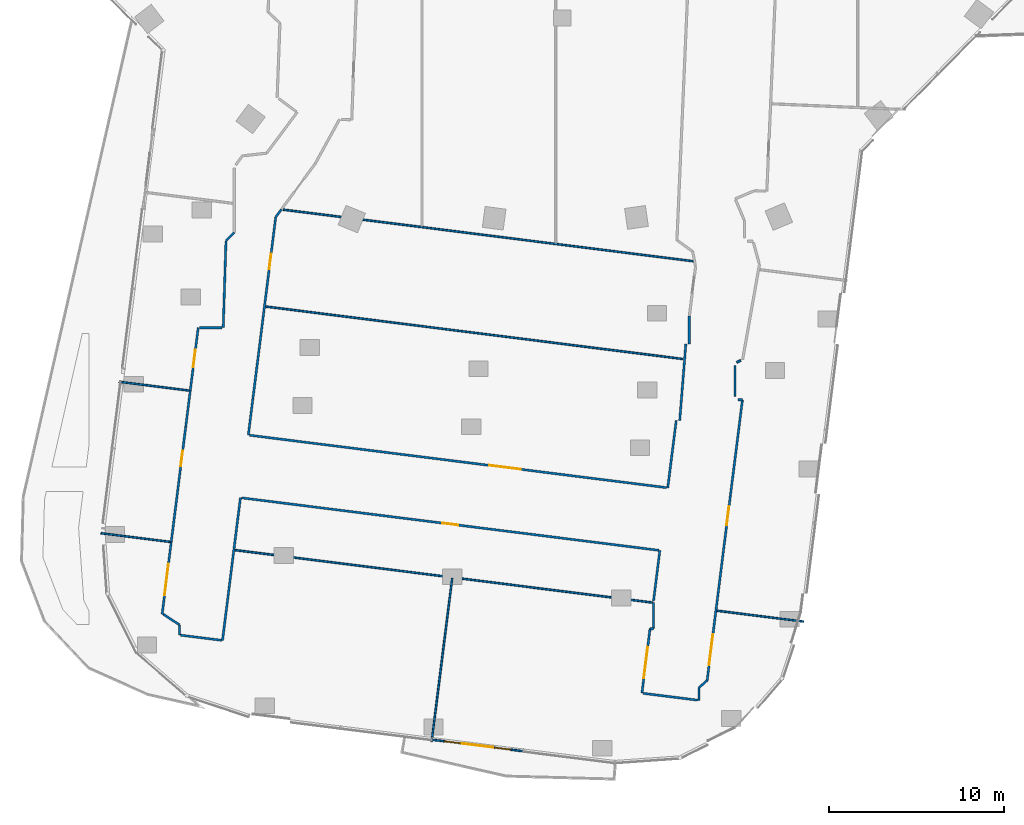
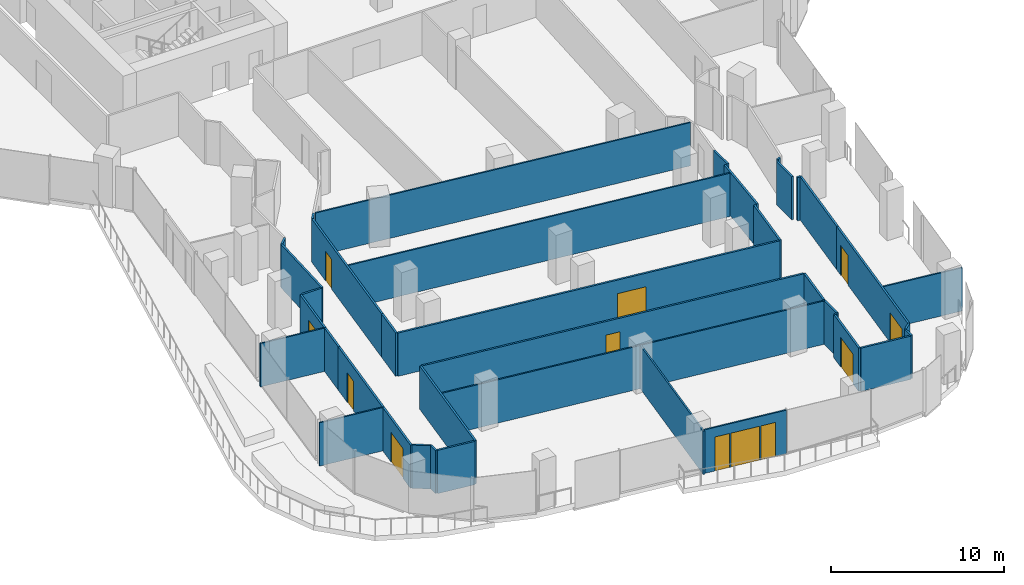
# One storey, part 19 of 29: 39 walls, 10 doors, 2 windows, 12 openings.
"""IFC4 building model written with IfcOpenShell, lengths in metres."""

from ifc_helpers import new_model, si_unit, direction, frame, frame_2d, origin, place, context, subcontext, project, spatial, rectangle, extrude, material, layer, layer_set, type_object, element, fill, save


model = new_model("IFC4")

# Units and contexts
model_context = context("Model", 3, precision=1e-05, world=origin(), true_north=direction((0.0, 1.0)))
body_context = subcontext(model_context, "Body", "Model", "MODEL_VIEW")
ifc_project = project(units=[si_unit("LENGTHUNIT", "METRE"), si_unit("AREAUNIT", "SQUARE_METRE"), si_unit("VOLUMEUNIT", "CUBIC_METRE"), si_unit("PLANEANGLEUNIT", "RADIAN"), si_unit("MASSUNIT", "GRAM", prefix="KILO")], contexts=[model_context])

# Site, building, storey
site_placement = place(None, origin())
site = spatial("IfcSite", under=ifc_project, at=site_placement, CompositionType="ELEMENT")
building_placement = place(site_placement, origin())
building = spatial("IfcBuilding", under=site, at=building_placement, Name="Orlundy Tower", CompositionType="ELEMENT")
storey_placement = place(building_placement, frame((0.0, 0.0, 188.60009765625)))
storey = spatial("IfcBuildingStorey", under=building, at=storey_placement, Name="L49", CompositionType="ELEMENT", Elevation=188.60009765625)

# Walls
ifc_material_1 = material(Name="Gypsum board partition")
ifc_layer_1 = layer(ifc_material_1, 0.10009765625)
ifc_layer_set_1 = layer_set([ifc_layer_1], Name="Floor partition 100")
wall_type_1 = type_object("IfcWallType", Name="Floor partition 100", PredefinedType="PARTITIONING", material=ifc_layer_set_1)
wall_1_placement = place(storey_placement, frame((-26.31298828125, -47.386962890625, 0.0), z_axis=(0.0, 0.0, 1.0), x_axis=(0.992185976099, -0.124767739553, 0.0)))
element("IfcWall", 1, at=wall_1_placement, inside=storey, type_object=wall_type_1, Name="wall-int-L49-008", PredefinedType="PARTITIONING", context=body_context, shape_type="SweptSolid", body=[
    extrude(rectangle(XDim=3.97607421875, YDim=0.10009765625, at=frame_2d((1.988037109375, 0.0))), origin(), (0.0, 0.0, 1.0), 3.059814453125),
])
wall_2_placement = place(storey_placement, frame((-18.6708984375, -48.34912109375, 0.0), z_axis=(0.0, 0.0, 1.0), x_axis=(0.992194081433, -0.124703266873, 0.0)))
element("IfcWall", 2, at=wall_2_placement, inside=storey, type_object=wall_type_1, Name="wall-int-L49-009", PredefinedType="PARTITIONING", context=body_context, shape_type="SweptSolid", body=[
    extrude(rectangle(XDim=24.000244140625, YDim=0.10009765625, at=frame_2d((12.0, 0.0))), origin(), (0.0, 0.0, 1.0), 3.059814453125),
])
wall_3_placement = place(storey_placement, frame((8.823974609375, -51.805908203125, 0.0), z_axis=(0.0, 0.0, 1.0), x_axis=(0.992182494256, -0.124795424967, 0.0)))
element("IfcWall", 3, at=wall_3_placement, inside=storey, type_object=wall_type_1, Name="wall-int-L49-010", PredefinedType="PARTITIONING", context=body_context, shape_type="SweptSolid", body=[
    extrude(rectangle(XDim=4.976806640625, YDim=0.10009765625, at=frame_2d((2.48828125, 0.0))), origin(), (0.0, 0.0, 1.0), 3.059814453125),
])
wall_4_placement = place(storey_placement, frame((-25.281982421875, -38.7490234375, 0.0), z_axis=(0.0, 0.0, 1.0), x_axis=(0.992218133557, -0.124511748205, 0.0)))
element("IfcWall", 4, at=wall_4_placement, inside=storey, type_object=wall_type_1, Name="wall-int-L49-013", PredefinedType="PARTITIONING", context=body_context, shape_type="SweptSolid", body=[
    extrude(rectangle(XDim=4.03125, YDim=0.10009765625, at=frame_2d((2.015625, 0.0))), origin(), (0.0, 0.0, 1.0), 3.059814453125),
])
wall_5_placement = place(storey_placement, frame((-16.924072265625, -34.4580078125, 0.0), z_axis=(0.0, 0.0, 1.0), x_axis=(0.992190096307, -0.124734970202, 0.0)))
element("IfcWall", 5, at=wall_5_placement, inside=storey, type_object=wall_type_1, Name="wall-int-L49-014", PredefinedType="PARTITIONING", context=body_context, shape_type="SweptSolid", body=[
    extrude(rectangle(XDim=23.986328125, YDim=0.10009765625, at=frame_2d((11.9931640625, 0.0))), origin(), (0.0, 0.0, 1.0), 3.059814453125),
])
wall_6_placement = place(storey_placement, frame((-15.925048828125, -28.931884765625, 0.0), z_axis=(0.0, 0.0, 1.0), x_axis=(0.992178923258, -0.124823812799, 0.0)))
element("IfcWall", 6, at=wall_6_placement, inside=storey, type_object=wall_type_1, Name="wall-int-L49-016", PredefinedType="PARTITIONING", context=body_context, shape_type="SweptSolid", body=[
    extrude(rectangle(XDim=23.5703125, YDim=0.10009765625, at=frame_2d((11.78515625, 0.0))), origin(), (0.0, 0.0, 1.0), 3.059814453125),
])
wall_7_placement = place(storey_placement, frame((-7.4541015625, -59.282958984375, 0.0), z_axis=(0.0, 0.0, 1.0), x_axis=(0.124805126351, 0.99218127398, 0.0)))
element("IfcWall", 7, at=wall_7_placement, inside=storey, type_object=wall_type_1, Name="wall-int-L49-057", PredefinedType="PARTITIONING", context=body_context, shape_type="SweptSolid", body=[
    extrude(rectangle(XDim=9.3994140625, YDim=0.10009765625, at=frame_2d((4.69970703125, 0.0))), origin(), (0.0, 0.0, 1.0), 3.059814453125),
])
ifc_material_2 = material(Name="Gypsum board partition, double layer")
ifc_layer_2 = layer(ifc_material_2, 0.125)
ifc_layer_set_2 = layer_set([ifc_layer_2], Name="Floor partition 125")
wall_type_2 = type_object("IfcWallType", Name="Floor partition 125", PredefinedType="PARTITIONING", material=ifc_layer_set_2)
wall_8_placement = place(storey_placement, frame((-21.77294921875, -53.199951171875, 0.0), z_axis=(0.0, 0.0, 1.0), x_axis=(0.992231399055, -0.124405991537, 0.0)))
element("IfcWall", 8, at=wall_8_placement, inside=storey, type_object=wall_type_2, Name="wall-int-L49-006", PredefinedType="PARTITIONING", context=body_context, shape_type="SweptSolid", body=[
    extrude(rectangle(XDim=2.34716796875, YDim=0.125, at=frame_2d((1.173583984375, 0.0))), origin(), (0.0, 0.0, 1.0), 3.059814453125),
])
wall_9_placement = place(storey_placement, frame((4.60302734375, -56.51708984375, 0.0), z_axis=(0.0, 0.0, 1.0), x_axis=(0.992225298005, -0.124454642333, 0.0)))
element("IfcWall", 9, at=wall_9_placement, inside=storey, type_object=wall_type_2, Name="wall-int-L49-007", PredefinedType="PARTITIONING", context=body_context, shape_type="SweptSolid", body=[
    extrude(rectangle(XDim=3.1484375, YDim=0.125, at=frame_2d((1.57421875, 0.0))), origin(), (0.0, 0.0, 1.0), 3.059814453125),
])

# Wall, opening, door
wall_10_placement = place(storey_placement, frame((5.501953125, -48.361083984375, 0.0), z_axis=(0.0, 0.0, 1.0), x_axis=(-0.992188044587, 0.124751289286, 0.0)))
wall_10 = element("IfcWall", 10, at=wall_10_placement, inside=storey, type_object=wall_type_2, Name="wall-int-L49-011", PredefinedType="PARTITIONING", context=body_context, shape_type="SweptSolid", body=[
    extrude(rectangle(XDim=23.985107421875, YDim=0.125, at=frame_2d((11.99267578125, 0.0))), origin(), (0.0, 0.0, 1.0), 3.059814453125),
])
opening_1_placement = place(wall_10_placement, frame((11.53759765625, 0.0, 0.0)))
opening_1 = element("IfcOpeningElement", 11, at=opening_1_placement, cuts=wall_10, Name="Opening 38104", PredefinedType="OPENING", context=body_context, shape_type="SweptSolid", body=[
    extrude(rectangle(XDim=0.89990234375, YDim=2.10009765625, at=frame_2d((0.449951171875, 1.050048828125))), frame((0.0, 0.072509765625, 0.0), z_axis=(0.0, -1.0, 0.0), x_axis=(1.0, 0.0, 0.0)), (0.0, 0.0, 1.0), 0.14501953125),
])
ifc_material_3 = material(Name="Timber door leaf", Category="wood")
door_type_1 = type_object("IfcDoorType", Name="Floor door single 900 FD30S", OperationType="NOTDEFINED", PredefinedType="DOOR", material=ifc_material_3)
door_1_placement = place(opening_1_placement, origin())
door_1 = element("IfcDoor", 12, at=door_1_placement, inside=storey, type_object=door_type_1, Name="Door 38104", OperationType="SINGLE_SWING_LEFT", OverallHeight=2.10009765625, OverallWidth=0.89990234375, PredefinedType="DOOR", context=body_context, shape_type="SweptSolid", body=[
    extrude(rectangle(XDim=0.89990234375, YDim=2.10009765625, at=frame_2d((0.449951171875, 1.050048828125))), frame((0.0, 0.02490234375, 0.0), z_axis=(0.0, -1.0, 0.0), x_axis=(1.0, 0.0, 0.0)), (0.0, 0.0, 1.0), 0.050048828125),
])
fill(opening_1, door_1)

wall_11_placement = place(storey_placement, frame((-17.845947265625, -41.797119140625, 0.0), z_axis=(0.0, 0.0, 1.0), x_axis=(0.992194342851, -0.1247011869, 0.0)))
wall_11 = element("IfcWall", 13, at=wall_11_placement, inside=storey, type_object=wall_type_2, Name="wall-int-L49-012", PredefinedType="PARTITIONING", context=body_context, shape_type="SweptSolid", body=[
    extrude(rectangle(XDim=23.985107421875, YDim=0.125, at=frame_2d((11.99267578125, 0.0))), origin(), (0.0, 0.0, 1.0), 3.059814453125),
])
opening_2_placement = place(wall_11_placement, frame((13.78759765625, 0.0, 0.0)))
opening_2 = element("IfcOpeningElement", 14, at=opening_2_placement, cuts=wall_11, Name="Opening 38103", PredefinedType="OPENING", context=body_context, shape_type="SweptSolid", body=[
    extrude(rectangle(XDim=1.800048828125, YDim=2.10009765625, at=frame_2d((0.89990234375, 1.050048828125))), frame((0.0, 0.072509765625, 0.0), z_axis=(0.0, -1.0, 0.0), x_axis=(1.0, 0.0, 0.0)), (0.0, 0.0, 1.0), 0.14501953125),
])
ifc_material_4 = material(Name="Timber door leaf", Category="wood")
door_type_2 = type_object("IfcDoorType", Name="Floor door double 1800 FD30S", OperationType="NOTDEFINED", PredefinedType="DOOR", material=ifc_material_4)
door_2_placement = place(opening_2_placement, origin())
door_2 = element("IfcDoor", 15, at=door_2_placement, inside=storey, type_object=door_type_2, Name="Door 38103", OperationType="DOUBLE_DOOR_SINGLE_SWING", OverallHeight=2.10009765625, OverallWidth=1.800048828125, PredefinedType="DOOR", context=body_context, shape_type="SweptSolid", body=[
    extrude(rectangle(XDim=1.800048828125, YDim=2.10009765625, at=frame_2d((0.89990234375, 1.050048828125))), frame((0.0, 0.02490234375, 0.0), z_axis=(0.0, -1.0, 0.0), x_axis=(1.0, 0.0, 0.0)), (0.0, 0.0, 1.0), 0.050048828125),
])
fill(opening_2, door_2)

# Walls
wall_12_placement = place(storey_placement, frame((7.7890625, -56.198974609375, 0.0), z_axis=(0.0, 0.0, 1.0), x_axis=(0.749373819913, 0.662147172484, 0.0)))
element("IfcWall", 16, at=wall_12_placement, inside=storey, type_object=wall_type_2, Name="wall-int-L49-023", PredefinedType="PARTITIONING", context=body_context, shape_type="SweptSolid", body=[
    extrude(rectangle(XDim=0.629638671875, YDim=0.125, at=frame_2d((0.31494140625, 0.0))), origin(), (0.0, 0.0, 1.0), 3.059814453125),
])
wall_13_placement = place(storey_placement, frame((5.0029296875, -52.8330078125, 0.0), z_axis=(0.0, 0.0, 1.0), x_axis=(1.0, 0.0, 0.0)))
element("IfcWall", 17, at=wall_13_placement, inside=storey, type_object=wall_type_2, Name="wall-int-L49-024", PredefinedType="PARTITIONING", context=body_context, shape_type="SweptSolid", body=[
    extrude(rectangle(XDim=0.199951171875, YDim=0.125, at=frame_2d((0.10009765625, 0.0))), origin(), (0.0, 0.0, 1.0), 3.059814453125),
])
wall_14_placement = place(storey_placement, frame((-22.759033203125, -52.009033203125, 0.0), z_axis=(0.0, 0.0, 1.0), x_axis=(0.837456505501, -0.546503981133, 0.0)))
element("IfcWall", 18, at=wall_14_placement, inside=storey, type_object=wall_type_2, Name="wall-int-L49-025", PredefinedType="PARTITIONING", context=body_context, shape_type="SweptSolid", body=[
    extrude(rectangle(XDim=1.103515625, YDim=0.125, at=frame_2d((0.5517578125, 0.0))), origin(), (0.0, 0.0, 1.0), 3.059814453125),
])
wall_15_placement = place(storey_placement, frame((10.031982421875, -39.778076171875, 0.0), z_axis=(0.0, 0.0, 1.0), x_axis=(1.0, 0.0, 0.0)))
element("IfcWall", 19, at=wall_15_placement, inside=storey, type_object=wall_type_2, Name="wall-int-L49-026", PredefinedType="PARTITIONING", context=body_context, shape_type="SweptSolid", body=[
    extrude(rectangle(XDim=0.241943359375, YDim=0.125, at=frame_2d((0.12109375, 0.0))), origin(), (0.0, 0.0, 1.0), 3.059814453125),
])
wall_16_placement = place(storey_placement, frame((-20.7041015625, -35.6640625, 0.0), z_axis=(0.0, 0.0, 1.0), x_axis=(1.0, 0.0, 0.0)))
element("IfcWall", 20, at=wall_16_placement, inside=storey, type_object=wall_type_2, Name="wall-int-L49-027", PredefinedType="PARTITIONING", context=body_context, shape_type="SweptSolid", body=[
    extrude(rectangle(XDim=1.302001953125, YDim=0.125, at=frame_2d((0.65087890625, 0.0))), origin(), (0.0, 0.0, 1.0), 3.059814453125),
])
wall_17_placement = place(storey_placement, frame((-19.181884765625, -30.702880859375, 0.0), z_axis=(0.0, 0.0, 1.0), x_axis=(0.707106781187, 0.707106781187, 0.0)))
element("IfcWall", 21, at=wall_17_placement, inside=storey, type_object=wall_type_2, Name="wall-int-L49-029", PredefinedType="PARTITIONING", context=body_context, shape_type="SweptSolid", body=[
    extrude(rectangle(XDim=0.65869140625, YDim=0.125, at=frame_2d((0.329345703125, 0.0))), origin(), (0.0, 0.0, 1.0), 3.059814453125),
])
wall_18_placement = place(storey_placement, frame((9.948974609375, -37.64404296875, 0.0), z_axis=(0.0, 0.0, 1.0), x_axis=(0.897533961659, 0.440945334105, 0.0)))
element("IfcWall", 22, at=wall_18_placement, inside=storey, type_object=wall_type_2, Name="wall-int-L49-043", PredefinedType="PARTITIONING", context=body_context, shape_type="SweptSolid", body=[
    extrude(rectangle(XDim=0.249755859375, YDim=0.125, at=frame_2d((0.125, 0.0))), origin(), (0.0, 0.0, 1.0), 3.059814453125),
])
wall_19_placement = place(storey_placement, frame((-16.344970703125, -29.35400390625, 0.0), z_axis=(0.0, 0.0, 1.0), x_axis=(0.594632608772, 0.803997550111, 0.0)))
element("IfcWall", 23, at=wall_19_placement, inside=storey, type_object=wall_type_2, Name="wall-int-L49-045", PredefinedType="PARTITIONING", context=body_context, shape_type="SweptSolid", body=[
    extrude(rectangle(XDim=0.539794921875, YDim=0.125, at=frame_2d((0.27001953125, 0.0))), origin(), (0.0, 0.0, 1.0), 3.059814453125),
])
wall_20_placement = place(storey_placement, frame((-19.18310546875, -30.7080078125, 0.0), z_axis=(0.0, 0.0, 1.0), x_axis=(-0.031658999126, -0.99949872825, 0.0)))
element("IfcWall", 24, at=wall_20_placement, inside=storey, type_object=wall_type_2, Name="wall-int-L49-049", PredefinedType="PARTITIONING", context=body_context, shape_type="SweptSolid", body=[
    extrude(rectangle(XDim=4.95849609375, YDim=0.125, at=frame_2d((2.479248046875, 0.0))), origin(), (0.0, 0.0, 1.0), 3.059814453125),
])
wall_21_placement = place(storey_placement, frame((9.5859375, -45.24609375, 0.0), z_axis=(0.0, 0.0, 1.0), x_axis=(0.124858127037, 0.992174605658, 0.0)))
element("IfcWall", 25, at=wall_21_placement, inside=storey, type_object=wall_type_2, Name="wall-int-L49-050", PredefinedType="PARTITIONING", context=body_context, shape_type="SweptSolid", body=[
    extrude(rectangle(XDim=5.51025390625, YDim=0.125, at=frame_2d((2.755126953125, 0.0))), origin(), (0.0, 0.0, 1.0), 3.059814453125),
])

# Wall, openings, doors
wall_22_placement = place(storey_placement, frame((9.5849609375, -45.24609375, 0.0), z_axis=(0.0, 0.0, 1.0), x_axis=(-0.124682713734, -0.992196664425, 0.0)))
wall_22 = element("IfcWall", 26, at=wall_22_placement, inside=storey, type_object=wall_type_2, Name="wall-int-L49-052", PredefinedType="PARTITIONING", context=body_context, shape_type="SweptSolid", body=[
    extrude(rectangle(XDim=10.61865234375, YDim=0.125, at=frame_2d((5.309326171875, 0.0))), origin(), (0.0, 0.0, 1.0), 3.059814453125),
])
opening_3_placement = place(wall_22_placement, frame((0.600341796875, 0.0, 0.0)))
opening_3 = element("IfcOpeningElement", 27, at=opening_3_placement, cuts=wall_22, Name="Opening 38100", PredefinedType="OPENING", context=body_context, shape_type="SweptSolid", body=[
    extrude(rectangle(XDim=1.10009765625, YDim=2.10009765625, at=frame_2d((0.550048828125, 1.050048828125))), frame((0.0, 0.072509765625, 0.0), z_axis=(0.0, -1.0, 0.0), x_axis=(1.0, 0.0, 0.0)), (0.0, 0.0, 1.0), 0.14501953125),
])
opening_4_placement = place(wall_22_placement, frame((7.953857421875, 0.0, 0.0)))
opening_4 = element("IfcOpeningElement", 28, at=opening_4_placement, cuts=wall_22, Name="Opening 38106", PredefinedType="OPENING", context=body_context, shape_type="SweptSolid", body=[
    extrude(rectangle(XDim=1.800048828125, YDim=2.10009765625, at=frame_2d((0.89990234375, 1.050048828125))), frame((0.0, 0.072509765625, 0.0), z_axis=(0.0, -1.0, 0.0), x_axis=(1.0, 0.0, 0.0)), (0.0, 0.0, 1.0), 0.14501953125),
])
door_3_placement = place(opening_4_placement, origin())
door_3 = element("IfcDoor", 29, at=door_3_placement, inside=storey, type_object=door_type_2, Name="Door 38106", OperationType="DOUBLE_DOOR_SINGLE_SWING", OverallHeight=2.10009765625, OverallWidth=1.800048828125, PredefinedType="DOOR", context=body_context, shape_type="SweptSolid", body=[
    extrude(rectangle(XDim=1.800048828125, YDim=2.10009765625, at=frame_2d((0.89990234375, 1.050048828125))), frame((0.0, 0.02490234375, 0.0), z_axis=(0.0, -1.0, 0.0), x_axis=(1.0, 0.0, 0.0)), (0.0, 0.0, 1.0), 0.050048828125),
])
fill(opening_4, door_3)
ifc_material_5 = material(Name="Timber door leaf", Category="wood")
door_type_3 = type_object("IfcDoorType", Name="Floor door xwide 1100 FD30S", OperationType="NOTDEFINED", PredefinedType="DOOR", material=ifc_material_5)
door_4_placement = place(opening_3_placement, origin())
door_4 = element("IfcDoor", 30, at=door_4_placement, inside=storey, type_object=door_type_3, Name="Door 38100", OperationType="SINGLE_SWING_LEFT", OverallHeight=2.10009765625, OverallWidth=1.10009765625, PredefinedType="DOOR", context=body_context, shape_type="SweptSolid", body=[
    extrude(rectangle(XDim=1.10009765625, YDim=2.10009765625, at=frame_2d((0.550048828125, 1.050048828125))), frame((0.0, 0.02490234375, 0.0), z_axis=(0.0, -1.0, 0.0), x_axis=(1.0, 0.0, 0.0)), (0.0, 0.0, 1.0), 0.050048828125),
])
fill(opening_3, door_4)

# Wall, opening, door
wall_23_placement = place(storey_placement, frame((4.541015625, -56.508056640625, 0.0), z_axis=(0.0, 0.0, 1.0), x_axis=(0.12474066762, 0.992189380029, 0.0)))
wall_23 = element("IfcWall", 31, at=wall_23_placement, inside=storey, type_object=wall_type_2, Name="wall-int-L49-053", PredefinedType="PARTITIONING", context=body_context, shape_type="SweptSolid", body=[
    extrude(rectangle(XDim=3.702880859375, YDim=0.125, at=frame_2d((1.8515625, 0.0))), origin(), (0.0, 0.0, 1.0), 3.059814453125),
])
opening_5_placement = place(wall_23_placement, frame((0.85009765625, 0.0, 0.0)))
opening_5 = element("IfcOpeningElement", 32, at=opening_5_placement, cuts=wall_23, Name="Opening 38105", PredefinedType="OPENING", context=body_context, shape_type="SweptSolid", body=[
    extrude(rectangle(XDim=1.800048828125, YDim=2.10009765625, at=frame_2d((0.89990234375, 1.050048828125))), frame((0.0, 0.072509765625, 0.0), z_axis=(0.0, -1.0, 0.0), x_axis=(1.0, 0.0, 0.0)), (0.0, 0.0, 1.0), 0.14501953125),
])
door_5_placement = place(opening_5_placement, origin())
door_5 = element("IfcDoor", 33, at=door_5_placement, inside=storey, type_object=door_type_2, Name="Door 38105", OperationType="DOUBLE_DOOR_SINGLE_SWING", OverallHeight=2.10009765625, OverallWidth=1.800048828125, PredefinedType="DOOR", context=body_context, shape_type="SweptSolid", body=[
    extrude(rectangle(XDim=1.800048828125, YDim=2.10009765625, at=frame_2d((0.89990234375, 1.050048828125))), frame((0.0, 0.02490234375, 0.0), z_axis=(0.0, -1.0, 0.0), x_axis=(1.0, 0.0, 0.0)), (0.0, 0.0, 1.0), 0.050048828125),
])
fill(opening_5, door_5)

# Walls
wall_24_placement = place(storey_placement, frame((6.49609375, -40.9609375, 0.0), z_axis=(0.0, 0.0, 1.0), x_axis=(-0.124749919043, -0.992188216872, 0.0)))
element("IfcWall", 34, at=wall_24_placement, inside=storey, type_object=wall_type_2, Name="wall-int-L49-054", PredefinedType="PARTITIONING", context=body_context, shape_type="SweptSolid", body=[
    extrude(rectangle(XDim=3.865234375, YDim=0.125, at=frame_2d((1.9326171875, 0.0))), origin(), (0.0, 0.0, 1.0), 3.059814453125),
])
wall_25_placement = place(storey_placement, frame((7.044921875, -36.594970703125, 0.0), z_axis=(0.0, 0.0, 1.0), x_axis=(-0.079672095143, -0.996821126008, 0.0)))
element("IfcWall", 35, at=wall_25_placement, inside=storey, type_object=wall_type_2, Name="wall-int-L49-055", PredefinedType="PARTITIONING", context=body_context, shape_type="SweptSolid", body=[
    extrude(rectangle(XDim=4.37890625, YDim=0.125, at=frame_2d((2.189453125, 0.0))), origin(), (0.0, 0.0, 1.0), 3.059814453125),
])
wall_26_placement = place(storey_placement, frame((-19.381103515625, -53.5, 0.0), z_axis=(0.0, 0.0, 1.0), x_axis=(0.124661325918, 0.992199351854, 0.0)))
element("IfcWall", 36, at=wall_26_placement, inside=storey, type_object=wall_type_2, Name="wall-int-L49-058", PredefinedType="PARTITIONING", context=body_context, shape_type="SweptSolid", body=[
    extrude(rectangle(XDim=8.199951171875, YDim=0.125, at=frame_2d((4.10009765625, 0.0))), origin(), (0.0, 0.0, 1.0), 3.059814453125),
])

# Wall, opening, door
wall_27_placement = place(storey_placement, frame((-16.345947265625, -29.35498046875, 0.0), z_axis=(0.0, 0.0, 1.0), x_axis=(-0.124673942426, -0.992197766617, 0.0)))
wall_27 = element("IfcWall", 37, at=wall_27_placement, inside=storey, type_object=wall_type_2, Name="wall-int-L49-059", PredefinedType="PARTITIONING", context=body_context, shape_type="SweptSolid", body=[
    extrude(rectangle(XDim=10.435302734375, YDim=0.125, at=frame_2d((5.2177734375, 0.0))), origin(), (0.0, 0.0, 1.0), 3.059814453125),
])
opening_6_placement = place(wall_27_placement, frame((2.098876953125, 0.0, 0.0)))
opening_6 = element("IfcOpeningElement", 38, at=opening_6_placement, cuts=wall_27, Name="Opening 38101", PredefinedType="OPENING", context=body_context, shape_type="SweptSolid", body=[
    extrude(rectangle(XDim=0.89990234375, YDim=2.10009765625, at=frame_2d((0.449951171875, 1.050048828125))), frame((0.0, 0.072509765625, 0.0), z_axis=(0.0, -1.0, 0.0), x_axis=(1.0, 0.0, 0.0)), (0.0, 0.0, 1.0), 0.14501953125),
])
door_6_placement = place(opening_6_placement, origin())
door_6 = element("IfcDoor", 39, at=door_6_placement, inside=storey, type_object=door_type_1, Name="Door 38101", OperationType="SINGLE_SWING_LEFT", OverallHeight=2.10009765625, OverallWidth=0.89990234375, PredefinedType="DOOR", context=body_context, shape_type="SweptSolid", body=[
    extrude(rectangle(XDim=0.89990234375, YDim=2.10009765625, at=frame_2d((0.449951171875, 1.050048828125))), frame((0.0, 0.02490234375, 0.0), z_axis=(0.0, -1.0, 0.0), x_axis=(1.0, 0.0, 0.0)), (0.0, 0.0, 1.0), 0.050048828125),
])
fill(opening_6, door_6)

# Wall
wall_28_placement = place(storey_placement, frame((-17.907958984375, -41.7890625, 0.0), z_axis=(0.0, 0.0, 1.0), x_axis=(0.124493385896, 0.992220437639, 0.0)))
element("IfcWall", 40, at=wall_28_placement, inside=storey, type_object=wall_type_2, Name="wall-int-L49-060", PredefinedType="PARTITIONING", context=body_context, shape_type="SweptSolid", body=[
    extrude(rectangle(XDim=2.096435546875, YDim=0.125, at=frame_2d((1.04833984375, 0.0))), origin(), (0.0, 0.0, 1.0), 3.059814453125),
])

# Wall, opening, door
wall_29_placement = place(storey_placement, frame((-22.305908203125, -47.89111328125, 0.0), z_axis=(0.0, 0.0, 1.0), x_axis=(0.124831339058, 0.992177976368, 0.0)))
wall_29 = element("IfcWall", 41, at=wall_29_placement, inside=storey, type_object=wall_type_2, Name="wall-int-L49-061", PredefinedType="PARTITIONING", context=body_context, shape_type="SweptSolid", body=[
    extrude(rectangle(XDim=6.6005859375, YDim=0.125, at=frame_2d((3.30029296875, 0.0))), origin(), (0.0, 0.0, 1.0), 3.059814453125),
])
opening_7_placement = place(wall_29_placement, frame((4.3525390625, 0.0, 0.0)))
opening_7 = element("IfcOpeningElement", 42, at=opening_7_placement, cuts=wall_29, Name="Opening 38109", PredefinedType="OPENING", context=body_context, shape_type="SweptSolid", body=[
    extrude(rectangle(XDim=0.89990234375, YDim=2.10009765625, at=frame_2d((0.449951171875, 1.050048828125))), frame((0.0, 0.072509765625, 0.0), z_axis=(0.0, -1.0, 0.0), x_axis=(1.0, 0.0, 0.0)), (0.0, 0.0, 1.0), 0.14501953125),
])
door_7_placement = place(opening_7_placement, origin())
door_7 = element("IfcDoor", 43, at=door_7_placement, inside=storey, type_object=door_type_1, Name="Door 38109", OperationType="SINGLE_SWING_RIGHT", OverallHeight=2.10009765625, OverallWidth=0.89990234375, PredefinedType="DOOR", context=body_context, shape_type="SweptSolid", body=[
    extrude(rectangle(XDim=0.89990234375, YDim=2.10009765625, at=frame_2d((0.449951171875, 1.050048828125))), frame((0.0, 0.02490234375, 0.0), z_axis=(0.0, -1.0, 0.0), x_axis=(1.0, 0.0, 0.0)), (0.0, 0.0, 1.0), 0.050048828125),
])
fill(opening_7, door_7)

wall_30_placement = place(storey_placement, frame((-21.219970703125, -39.259033203125, 0.0), z_axis=(0.0, 0.0, 1.0), x_axis=(0.12478977457, 0.992183204939, 0.0)))
wall_30 = element("IfcWall", 44, at=wall_30_placement, inside=storey, type_object=wall_type_2, Name="wall-int-L49-062", PredefinedType="PARTITIONING", context=body_context, shape_type="SweptSolid", body=[
    extrude(rectangle(XDim=3.621337890625, YDim=0.125, at=frame_2d((1.810546875, 0.0))), origin(), (0.0, 0.0, 1.0), 3.059814453125),
])
opening_8_placement = place(wall_30_placement, frame((1.35009765625, 0.0, 0.0)))
opening_8 = element("IfcOpeningElement", 45, at=opening_8_placement, cuts=wall_30, Name="Opening 38108", PredefinedType="OPENING", context=body_context, shape_type="SweptSolid", body=[
    extrude(rectangle(XDim=1.0, YDim=2.10009765625, at=frame_2d((0.5, 1.050048828125))), frame((0.0, 0.072509765625, 0.0), z_axis=(0.0, -1.0, 0.0), x_axis=(1.0, 0.0, 0.0)), (0.0, 0.0, 1.0), 0.14501953125),
])
ifc_material_6 = material(Name="Timber door leaf", Category="wood")
door_type_4 = type_object("IfcDoorType", Name="Floor door wide 1000 FD30S", OperationType="NOTDEFINED", PredefinedType="DOOR", material=ifc_material_6)
door_8_placement = place(opening_8_placement, origin())
door_8 = element("IfcDoor", 46, at=door_8_placement, inside=storey, type_object=door_type_4, Name="Door 38108", OperationType="SINGLE_SWING_RIGHT", OverallHeight=2.10009765625, OverallWidth=1.0, PredefinedType="DOOR", context=body_context, shape_type="SweptSolid", body=[
    extrude(rectangle(XDim=1.0, YDim=2.10009765625, at=frame_2d((0.5, 1.050048828125))), frame((0.0, 0.02490234375, 0.0), z_axis=(0.0, -1.0, 0.0), x_axis=(1.0, 0.0, 0.0)), (0.0, 0.0, 1.0), 0.050048828125),
])
fill(opening_8, door_8)

wall_31_placement = place(storey_placement, frame((-22.822998046875, -52.008056640625, 0.0), z_axis=(0.0, 0.0, 1.0), x_axis=(0.12462129386, 0.992204380718, 0.0)))
wall_31 = element("IfcWall", 47, at=wall_31_placement, inside=storey, type_object=wall_type_2, Name="wall-int-L49-063", PredefinedType="PARTITIONING", context=body_context, shape_type="SweptSolid", body=[
    extrude(rectangle(XDim=4.149169921875, YDim=0.125, at=frame_2d((2.07470703125, 0.0))), origin(), (0.0, 0.0, 1.0), 3.059814453125),
])
opening_9_placement = place(wall_31_placement, frame((1.10009765625, 0.0, 0.0)))
opening_9 = element("IfcOpeningElement", 48, at=opening_9_placement, cuts=wall_31, Name="Opening 38107", PredefinedType="OPENING", context=body_context, shape_type="SweptSolid", body=[
    extrude(rectangle(XDim=1.800048828125, YDim=2.10009765625, at=frame_2d((0.89990234375, 1.050048828125))), frame((0.0, 0.072509765625, 0.0), z_axis=(0.0, -1.0, 0.0), x_axis=(1.0, 0.0, 0.0)), (0.0, 0.0, 1.0), 0.14501953125),
])
door_9_placement = place(opening_9_placement, origin())
door_9 = element("IfcDoor", 49, at=door_9_placement, inside=storey, type_object=door_type_2, Name="Door 38107", OperationType="DOUBLE_DOOR_SINGLE_SWING", OverallHeight=2.10009765625, OverallWidth=1.800048828125, PredefinedType="DOOR", context=body_context, shape_type="SweptSolid", body=[
    extrude(rectangle(XDim=1.800048828125, YDim=2.10009765625, at=frame_2d((0.89990234375, 1.050048828125))), frame((0.0, 0.02490234375, 0.0), z_axis=(0.0, -1.0, 0.0), x_axis=(1.0, 0.0, 0.0)), (0.0, 0.0, 1.0), 0.050048828125),
])
fill(opening_9, door_9)

# Walls
wall_32_placement = place(storey_placement, frame((5.202880859375, -51.2470703125, 0.0), z_axis=(0.0, 0.0, 1.0), x_axis=(0.124480149579, 0.992222098303, 0.0)))
element("IfcWall", 50, at=wall_32_placement, inside=storey, type_object=wall_type_2, Name="wall-int-L49-064", PredefinedType="PARTITIONING", context=body_context, shape_type="SweptSolid", body=[
    extrude(rectangle(XDim=2.900634765625, YDim=0.125, at=frame_2d((1.4501953125, 0.0))), origin(), (0.0, 0.0, 1.0), 3.059814453125),
])
wall_33_placement = place(storey_placement, frame((-21.48095703125, -41.340087890625, 0.0), z_axis=(0.0, 0.0, 1.0), x_axis=(0.124435870528, 0.992227652369, 0.0)))
element("IfcWall", 51, at=wall_33_placement, inside=storey, type_object=wall_type_2, Name="wall-int-L49-065", PredefinedType="PARTITIONING", context=body_context, shape_type="SweptSolid", body=[
    extrude(rectangle(XDim=2.097412109375, YDim=0.125, at=frame_2d((1.048828125, 0.0))), origin(), (0.0, 0.0, 1.0), 3.059814453125),
])
wall_34_placement = place(storey_placement, frame((9.843994140625, -39.590087890625, 0.0), z_axis=(0.0, 0.0, 1.0), x_axis=(0.0, 1.0, 0.0)))
element("IfcWall", 52, at=wall_34_placement, inside=storey, type_object=wall_type_2, Name="wall-int-L49-075", PredefinedType="PARTITIONING", context=body_context, shape_type="SweptSolid", body=[
    extrude(rectangle(XDim=1.777099609375, YDim=0.125, at=frame_2d((0.888671875, 0.0))), origin(), (0.0, 0.0, 1.0), 3.059814453125),
])
wall_35_placement = place(storey_placement, frame((7.7890625, -56.9169921875, 0.0), z_axis=(0.0, 0.0, 1.0), x_axis=(0.0, 1.0, 0.0)))
element("IfcWall", 53, at=wall_35_placement, inside=storey, type_object=wall_type_2, Name="wall-int-L49-077", PredefinedType="PARTITIONING", context=body_context, shape_type="SweptSolid", body=[
    extrude(rectangle(XDim=0.718017578125, YDim=0.125, at=frame_2d((0.35888671875, 0.0))), origin(), (0.0, 0.0, 1.0), 3.059814453125),
])
wall_36_placement = place(storey_placement, frame((7.243896484375, -36.593994140625, 0.0), z_axis=(0.0, 0.0, 1.0), x_axis=(0.0, 1.0, 0.0)))
element("IfcWall", 54, at=wall_36_placement, inside=storey, type_object=wall_type_2, Name="wall-int-L49-078", PredefinedType="PARTITIONING", context=body_context, shape_type="SweptSolid", body=[
    extrude(rectangle(XDim=1.5869140625, YDim=0.125, at=frame_2d((0.79345703125, 0.0))), origin(), (0.0, 0.0, 1.0), 3.059814453125),
])
wall_37_placement = place(storey_placement, frame((5.202880859375, -52.8330078125, 0.0), z_axis=(0.0, 0.0, 1.0), x_axis=(0.0, 1.0, 0.0)))
element("IfcWall", 55, at=wall_37_placement, inside=storey, type_object=wall_type_2, Name="wall-int-L49-079", PredefinedType="PARTITIONING", context=body_context, shape_type="SweptSolid", body=[
    extrude(rectangle(XDim=1.48291015625, YDim=0.125, at=frame_2d((0.741455078125, 0.0))), origin(), (0.0, 0.0, 1.0), 3.059814453125),
])
wall_38_placement = place(storey_placement, frame((-21.8349609375, -53.19189453125, 0.0), z_axis=(0.0, 0.0, 1.0), x_axis=(0.0, 1.0, 0.0)))
element("IfcWall", 56, at=wall_38_placement, inside=storey, type_object=wall_type_2, Name="wall-int-L49-087", PredefinedType="PARTITIONING", context=body_context, shape_type="SweptSolid", body=[
    extrude(rectangle(XDim=0.579833984375, YDim=0.125, at=frame_2d((0.2900390625, 0.0))), origin(), (0.0, 0.0, 1.0), 3.059814453125),
])

# Wall, openings, windows, door
ifc_material_7 = material(Name="Aluminium bronze and tinted glass", Category="aluminium")
ifc_layer_3 = layer(ifc_material_7, 0.10009765625)
ifc_layer_set_3 = layer_set([ifc_layer_3], Name="Glazed door screen")
wall_type_3 = type_object("IfcWallType", Name="Glazed door screen", PredefinedType="STANDARD", material=ifc_layer_set_3)
wall_39_placement = place(storey_placement, frame((-2.255126953125, -59.81591796875, 0.0), z_axis=(0.0, 0.0, 1.0), x_axis=(-0.992182235567, 0.124797481646, 0.0)))
wall_39 = element("IfcWall", 57, at=wall_39_placement, inside=storey, type_object=wall_type_3, Name="Glazed door screen", PredefinedType="STANDARD", context=body_context, shape_type="SweptSolid", body=[
    extrude(rectangle(XDim=5.199951171875, YDim=0.10009765625, at=frame_2d((2.60009765625, 0.0))), origin(), (0.0, 0.0, 1.0), 3.079833984375),
])
opening_10_placement = place(wall_39_placement, frame((1.699951171875, 0.0, 0.0)))
opening_10 = element("IfcOpeningElement", 58, at=opening_10_placement, cuts=wall_39, Name="Opening 38942", PredefinedType="OPENING", context=body_context, shape_type="SweptSolid", body=[
    extrude(rectangle(XDim=1.800048828125, YDim=2.39990234375, at=frame_2d((0.89990234375, 1.199951171875))), frame((0.0, 0.06005859375, 0.0), z_axis=(0.0, -1.0, 0.0), x_axis=(1.0, 0.0, 0.0)), (0.0, 0.0, 1.0), 0.1201171875),
])
opening_11_placement = place(wall_39_placement, frame((0.699951171875, 0.0, 0.0)))
opening_11 = element("IfcOpeningElement", 59, at=opening_11_placement, cuts=wall_39, Name="Opening W02", PredefinedType="OPENING", context=body_context, shape_type="SweptSolid", body=[
    extrude(rectangle(XDim=0.89990234375, YDim=2.39990234375, at=frame_2d((0.449951171875, 1.199951171875))), frame((0.0, 0.06005859375, 0.0), z_axis=(0.0, -1.0, 0.0), x_axis=(1.0, 0.0, 0.0)), (0.0, 0.0, 1.0), 0.1201171875),
])
opening_12_placement = place(wall_39_placement, frame((3.60009765625, 0.0, 0.0)))
opening_12 = element("IfcOpeningElement", 60, at=opening_12_placement, cuts=wall_39, Name="Opening W02", PredefinedType="OPENING", context=body_context, shape_type="SweptSolid", body=[
    extrude(rectangle(XDim=0.89990234375, YDim=2.39990234375, at=frame_2d((0.449951171875, 1.199951171875))), frame((0.0, 0.06005859375, 0.0), z_axis=(0.0, -1.0, 0.0), x_axis=(1.0, 0.0, 0.0)), (0.0, 0.0, 1.0), 0.1201171875),
])
ifc_material_8 = material(Name="Tinted glass in bronze aluminium frame", Category="aluminium")
window_type = type_object("IfcWindowType", Name="SL2 sidelight 900x2400", PartitioningType="SINGLE_PANEL", PredefinedType="WINDOW", material=ifc_material_8)
window_1_placement = place(opening_11_placement, origin())
window_1 = element("IfcWindow", 61, at=window_1_placement, inside=storey, type_object=window_type, Name="Window W02 L49", OverallHeight=2.39990234375, OverallWidth=0.89990234375, PartitioningType="SINGLE_PANEL", PredefinedType="WINDOW", context=body_context, shape_type="SweptSolid", body=[
    extrude(rectangle(XDim=0.89990234375, YDim=2.39990234375, at=frame_2d((0.449951171875, 1.199951171875))), frame((0.0, 0.030029296875, 0.0), z_axis=(0.0, -1.0, 0.0), x_axis=(1.0, 0.0, 0.0)), (0.0, 0.0, 1.0), 0.06005859375),
])
fill(opening_11, window_1)
window_2_placement = place(opening_12_placement, origin())
window_2 = element("IfcWindow", 62, at=window_2_placement, inside=storey, type_object=window_type, Name="Window W02 L49", OverallHeight=2.39990234375, OverallWidth=0.89990234375, PartitioningType="SINGLE_PANEL", PredefinedType="WINDOW", context=body_context, shape_type="SweptSolid", body=[
    extrude(rectangle(XDim=0.89990234375, YDim=2.39990234375, at=frame_2d((0.449951171875, 1.199951171875))), frame((0.0, 0.030029296875, 0.0), z_axis=(0.0, -1.0, 0.0), x_axis=(1.0, 0.0, 0.0)), (0.0, 0.0, 1.0), 0.06005859375),
])
fill(opening_12, window_2)
ifc_material_9 = material(Name="Aluminium bronze and tinted glass", Category="aluminium")
door_type_5 = type_object("IfcDoorType", Name="TD3 terrace sliding door 1800x2400", OperationType="DOUBLE_DOOR_SLIDING", PredefinedType="DOOR", material=ifc_material_9)
door_10_placement = place(opening_10_placement, origin())
door_10 = element("IfcDoor", 63, at=door_10_placement, inside=storey, type_object=door_type_5, Name="Door 38942", OperationType="DOUBLE_DOOR_SLIDING", OverallHeight=2.39990234375, OverallWidth=1.800048828125, PredefinedType="DOOR", context=body_context, shape_type="SweptSolid", body=[
    extrude(rectangle(XDim=1.800048828125, YDim=2.39990234375, at=frame_2d((0.89990234375, 1.199951171875))), frame((0.0, 0.02490234375, 0.0), z_axis=(0.0, -1.0, 0.0), x_axis=(1.0, 0.0, 0.0)), (0.0, 0.0, 1.0), 0.050048828125),
])
fill(opening_10, door_10)

save(model, "model.ifc")
